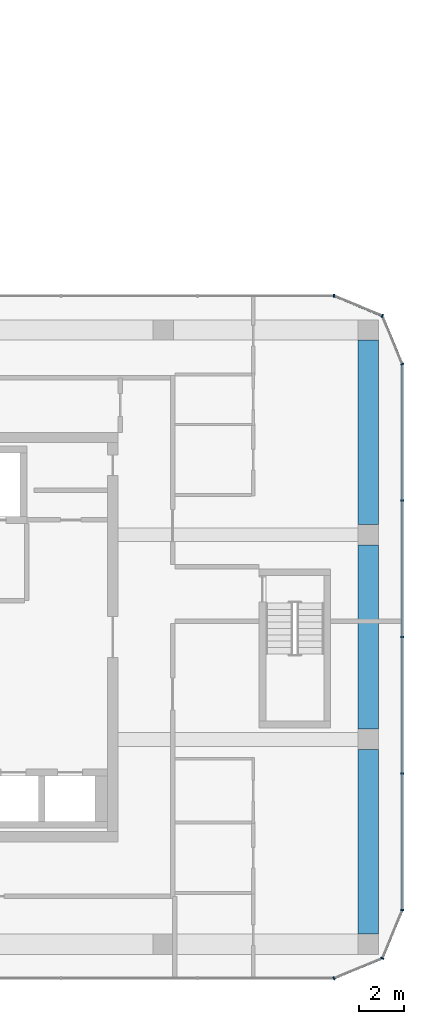
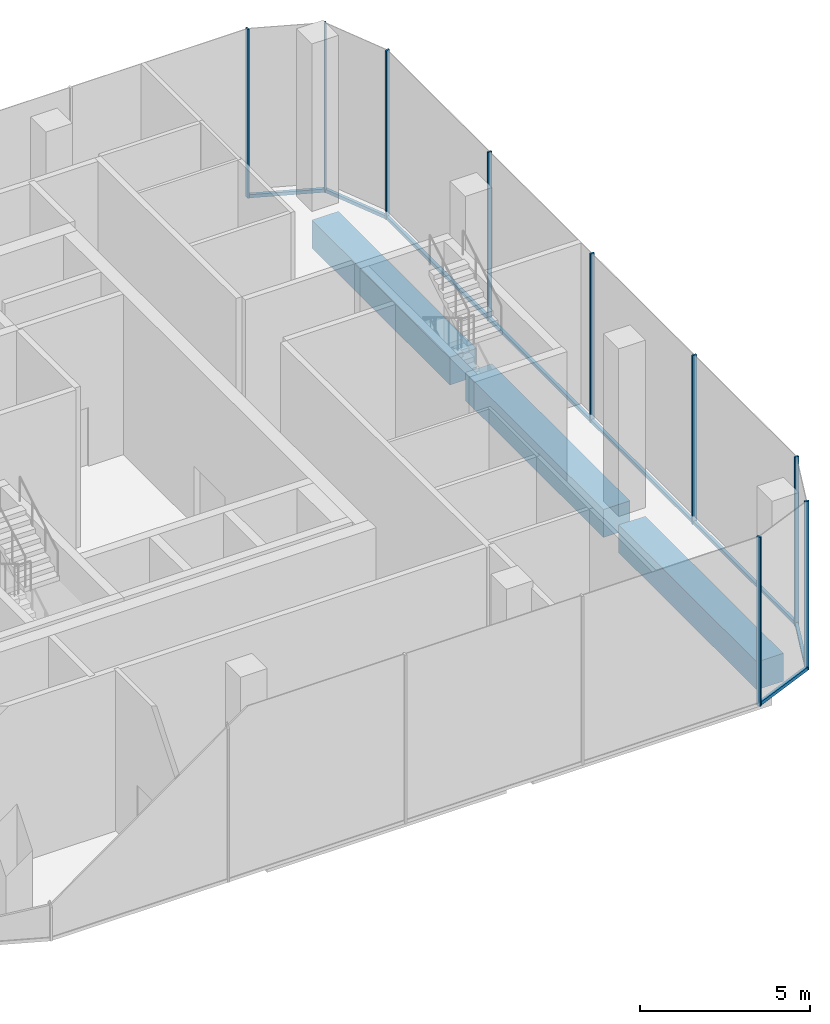
# One storey, part 11 of 24: 14 members, 3 beams, 6 elements without a shape of their own.
"""IFC4 building model written with IfcOpenShell, lengths in metres."""

from ifc_helpers import new_model, si_unit, direction, frame, origin, origin_2d, place, context, subcontext, project, spatial, rectangle, extrude, material, layer, layer_set, material_profile, profile_set, type_object, element, aggregate, save


model = new_model("IFC4")

# Units and contexts
model_context = context("Model", 3, precision=1e-05, world=origin(), true_north=direction((0.0, 1.0)))
body_context = subcontext(model_context, "Body", "Model", "MODEL_VIEW")
ifc_project = project(units=[si_unit("LENGTHUNIT", "METRE"), si_unit("AREAUNIT", "SQUARE_METRE"), si_unit("VOLUMEUNIT", "CUBIC_METRE"), si_unit("PLANEANGLEUNIT", "RADIAN"), si_unit("MASSUNIT", "GRAM", prefix="KILO")], contexts=[model_context])

# Site, building, storey
site_placement = place(None, origin())
site = spatial("IfcSite", under=ifc_project, at=site_placement, CompositionType="ELEMENT")
building_placement = place(site_placement, origin())
building = spatial("IfcBuilding", under=site, at=building_placement, Name="Plateau Cross Towers", CompositionType="ELEMENT")
storey_placement = place(building_placement, frame((0.0, 0.0, 72.300048828125)))
storey = spatial("IfcBuildingStorey", under=building, at=storey_placement, Name="L18", CompositionType="ELEMENT", Elevation=72.300048828125)

# Beams
ifc_material_1 = material(Name="Concrete C60/75", Category="concrete")
ifc_material_profile_1 = material_profile(ifc_material_1, rectangle(XDim=0.89990234375, YDim=1.0, at=origin_2d()), Name="RC 900x1000")
ifc_profile_set_1 = profile_set([ifc_material_profile_1], Name="Concrete C60/75")
beam_type = type_object("IfcBeamType", Name="Belt beam RC 900x1000", PredefinedType="BEAM", material=ifc_profile_set_1)
for number, where, z_axis, x_axis, name in (
    (1, (100.5, -4.050048828125, -0.800048828125), (0.0, 1.0, 0.0), (-1.0, 0.0, 0.0), "B-RB03@L18"),
    (2, (100.5, 4.949951171875, -0.800048828125), (0.0, 1.0, 0.0), (-1.0, 0.0, 0.0), "B-RB04@L18"),
    (3, (100.5, 13.949951171875, -0.800048828125), (0.0, 1.0, 0.0), (-1.0, 0.0, 0.0), "B-RB05@L18"),
):
    element("IfcBeam", number, at=place(storey_placement, frame(where, z_axis=z_axis, x_axis=x_axis)), inside=storey, type_object=beam_type, Name=name, PredefinedType="BEAM", context=body_context, shape_type="SweptSolid", body=[
        extrude(rectangle(XDim=0.89990234375, YDim=1.0, at=origin_2d()), origin(), (0.0, 0.0, 1.0), 8.10009765625),
    ])

# Curtain wall, member
ifc_material_2 = material(Name="Dark low-iron glass", Category="glass")
ifc_layer = layer(ifc_material_2, 0.239990234375)
ifc_layer_set = layer_set([ifc_layer], Name="Dark low-iron glass")
curtain_wall_type = type_object("IfcCurtainWallType", Name="Curtain wall office unitised CW-F", PredefinedType="NOTDEFINED", material=ifc_layer_set)
curtain_wall_1_placement = place(storey_placement, origin())
curtain_wall_1 = element("IfcCurtainWall", 4, at=curtain_wall_1_placement, inside=storey, type_object=curtain_wall_type, Name="ENV/B/L18/B990_-60", PredefinedType="NOTDEFINED")
ifc_material_3 = material(Name="Black anodised aluminium", Category="aluminium")
ifc_material_profile_2 = material_profile(ifc_material_3, rectangle(XDim=0.06005859375, YDim=0.139892578125, at=origin_2d()), Name="MULLION 60x140")
ifc_profile_set_2 = profile_set([ifc_material_profile_2], Name="Black anodised aluminium")
member_type_1 = type_object("IfcMemberType", Name="Mullion 60x140 office unitised", PredefinedType="MULLION", material=ifc_profile_set_2)
member_1_placement = place(storey_placement, frame((99.0, -6.0, -0.300048828125), z_axis=(0.0, 0.0, 1.0), x_axis=(0.923879457699, 0.382683612978, 0.0)))
member_1 = element("IfcMember", 5, at=member_1_placement, type_object=member_type_1, Name="CW-F mullion 1", PredefinedType="MULLION", context=body_context, shape_type="SweptSolid", body=[
    extrude(rectangle(XDim=0.06005859375, YDim=0.139892578125, at=origin_2d()), origin(), (0.0, 0.0, 1.0), 6.050048828125),
])

curtain_wall_2_placement = place(storey_placement, origin())
curtain_wall_2 = element("IfcCurtainWall", 6, at=curtain_wall_2_placement, inside=storey, type_object=curtain_wall_type, Name="ENV/B/L18/B1011_-51", PredefinedType="NOTDEFINED")
member_2_placement = place(storey_placement, frame((101.121337890625, -5.121337890625, -0.300048828125), z_axis=(0.0, 0.0, 1.0), x_axis=(0.382683612978, 0.923879457699, 0.0)))
member_2 = element("IfcMember", 7, at=member_2_placement, type_object=member_type_1, Name="CW-F mullion 1", PredefinedType="MULLION", context=body_context, shape_type="SweptSolid", body=[
    extrude(rectangle(XDim=0.06005859375, YDim=0.139892578125, at=origin_2d()), origin(), (0.0, 0.0, 1.0), 6.050048828125),
])

# Curtain wall, members
curtain_wall_3_placement = place(storey_placement, origin())
curtain_wall_3 = element("IfcCurtainWall", 8, at=curtain_wall_3_placement, inside=storey, type_object=curtain_wall_type, Name="ENV/B/L18/B1020_-30", PredefinedType="NOTDEFINED")
member_3_placement = place(storey_placement, frame((102.0, -3.0, -0.300048828125), z_axis=(0.0, 0.0, 1.0), x_axis=(0.0, 1.0, 0.0)))
member_3 = element("IfcMember", 9, at=member_3_placement, type_object=member_type_1, Name="CW-F mullion 1", PredefinedType="MULLION", context=body_context, shape_type="SweptSolid", body=[
    extrude(rectangle(XDim=0.06005859375, YDim=0.139892578125, at=origin_2d()), origin(), (0.0, 0.0, 1.0), 6.050048828125),
])
member_4_placement = place(storey_placement, frame((102.0, 3.0, -0.300048828125), z_axis=(0.0, 0.0, 1.0), x_axis=(0.0, 1.0, 0.0)))
member_4 = element("IfcMember", 10, at=member_4_placement, type_object=member_type_1, Name="CW-F mullion 2", PredefinedType="MULLION", context=body_context, shape_type="SweptSolid", body=[
    extrude(rectangle(XDim=0.06005859375, YDim=0.139892578125, at=origin_2d()), origin(), (0.0, 0.0, 1.0), 6.050048828125),
])
member_5_placement = place(storey_placement, frame((102.0, 9.0, -0.300048828125), z_axis=(0.0, 0.0, 1.0), x_axis=(0.0, 1.0, 0.0)))
member_5 = element("IfcMember", 11, at=member_5_placement, type_object=member_type_1, Name="CW-F mullion 3", PredefinedType="MULLION", context=body_context, shape_type="SweptSolid", body=[
    extrude(rectangle(XDim=0.06005859375, YDim=0.139892578125, at=origin_2d()), origin(), (0.0, 0.0, 1.0), 6.050048828125),
])
member_6_placement = place(storey_placement, frame((102.0, 15.0, -0.300048828125), z_axis=(0.0, 0.0, 1.0), x_axis=(0.0, 1.0, 0.0)))
member_6 = element("IfcMember", 12, at=member_6_placement, type_object=member_type_1, Name="CW-F mullion 4", PredefinedType="MULLION", context=body_context, shape_type="SweptSolid", body=[
    extrude(rectangle(XDim=0.06005859375, YDim=0.139892578125, at=origin_2d()), origin(), (0.0, 0.0, 1.0), 6.050048828125),
])

# Curtain wall, member
curtain_wall_4_placement = place(storey_placement, origin())
curtain_wall_4 = element("IfcCurtainWall", 13, at=curtain_wall_4_placement, inside=storey, type_object=curtain_wall_type, Name="ENV/B/L18/B1020_210", PredefinedType="NOTDEFINED")
member_7_placement = place(storey_placement, frame((102.0, 21.0, -0.300048828125), z_axis=(0.0, 0.0, 1.0), x_axis=(-0.382683612978, 0.923879457699, 0.0)))
member_7 = element("IfcMember", 14, at=member_7_placement, type_object=member_type_1, Name="CW-F mullion 1", PredefinedType="MULLION", context=body_context, shape_type="SweptSolid", body=[
    extrude(rectangle(XDim=0.06005859375, YDim=0.139892578125, at=origin_2d()), origin(), (0.0, 0.0, 1.0), 6.050048828125),
])

curtain_wall_5_placement = place(storey_placement, origin())
curtain_wall_5 = element("IfcCurtainWall", 15, at=curtain_wall_5_placement, inside=storey, type_object=curtain_wall_type, Name="ENV/B/L18/B1011_231", PredefinedType="NOTDEFINED")
member_8_placement = place(storey_placement, frame((101.121337890625, 23.121337890625, -0.300048828125), z_axis=(0.0, 0.0, 1.0), x_axis=(-0.923879457699, 0.382683612978, 0.0)))
member_8 = element("IfcMember", 16, at=member_8_placement, type_object=member_type_1, Name="CW-F mullion 1", PredefinedType="MULLION", context=body_context, shape_type="SweptSolid", body=[
    extrude(rectangle(XDim=0.06005859375, YDim=0.139892578125, at=origin_2d()), origin(), (0.0, 0.0, 1.0), 6.050048828125),
])

curtain_wall_6_placement = place(storey_placement, origin())
curtain_wall_6 = element("IfcCurtainWall", 17, at=curtain_wall_6_placement, inside=storey, type_object=curtain_wall_type, Name="ENV/B/L18/B990_240", PredefinedType="NOTDEFINED")
member_9_placement = place(storey_placement, frame((99.0, 24.0, -0.300048828125), z_axis=(0.0, 0.0, 1.0), x_axis=(-1.0, 0.0, 0.0)))
member_9 = element("IfcMember", 18, at=member_9_placement, type_object=member_type_1, Name="CW-F mullion 1", PredefinedType="MULLION", context=body_context, shape_type="SweptSolid", body=[
    extrude(rectangle(XDim=0.06005859375, YDim=0.139892578125, at=origin_2d()), origin(), (0.0, 0.0, 1.0), 6.050048828125),
])
aggregate(curtain_wall_6, [member_9])

# Member
ifc_material_profile_3 = material_profile(ifc_material_3, rectangle(XDim=0.10009765625, YDim=0.1201171875, at=origin_2d()), Name="TRANSOM 100x120")
ifc_profile_set_3 = profile_set([ifc_material_profile_3], Name="Black anodised aluminium")
member_type_2 = type_object("IfcMemberType", Name="Transom 100x120 office unitised", PredefinedType="USERDEFINED", material=ifc_profile_set_3)
member_10_placement = place(storey_placement, frame((99.0, -6.0, -0.239990234375), z_axis=(0.923883353507, 0.382674207535, 0.0), x_axis=(-0.382674207535, 0.923883353507, 0.0)))
member_10 = element("IfcMember", 19, at=member_10_placement, type_object=member_type_2, Name="CW-F transom", ObjectType="TRANSOM", PredefinedType="USERDEFINED", context=body_context, shape_type="SweptSolid", body=[
    extrude(rectangle(XDim=0.10009765625, YDim=0.1201171875, at=origin_2d()), origin(), (0.0, 0.0, 1.0), 2.296142578125),
])

aggregate(curtain_wall_1, [member_1, member_10])

member_11_placement = place(storey_placement, frame((101.121337890625, -5.121337890625, -0.239990234375), z_axis=(0.382674207535, 0.923883353507, 0.0), x_axis=(-0.923883353507, 0.382674207535, 0.0)))
member_11 = element("IfcMember", 20, at=member_11_placement, type_object=member_type_2, Name="CW-F transom", ObjectType="TRANSOM", PredefinedType="USERDEFINED", context=body_context, shape_type="SweptSolid", body=[
    extrude(rectangle(XDim=0.10009765625, YDim=0.1201171875, at=origin_2d()), origin(), (0.0, 0.0, 1.0), 2.296142578125),
])

aggregate(curtain_wall_2, [member_2, member_11])

member_12_placement = place(storey_placement, frame((102.0, -3.0, -0.239990234375), z_axis=(0.0, 1.0, 0.0), x_axis=(-1.0, 0.0, 0.0)))
member_12 = element("IfcMember", 21, at=member_12_placement, type_object=member_type_2, Name="CW-F transom", ObjectType="TRANSOM", PredefinedType="USERDEFINED", context=body_context, shape_type="SweptSolid", body=[
    extrude(rectangle(XDim=0.10009765625, YDim=0.1201171875, at=origin_2d()), origin(), (0.0, 0.0, 1.0), 24.0),
])

aggregate(curtain_wall_3, [member_3, member_4, member_5, member_6, member_12])

member_13_placement = place(storey_placement, frame((102.0, 21.0, -0.239990234375), z_axis=(-0.382674207535, 0.923883353507, 0.0), x_axis=(-0.923883353507, -0.382674207535, 0.0)))
member_13 = element("IfcMember", 22, at=member_13_placement, type_object=member_type_2, Name="CW-F transom", ObjectType="TRANSOM", PredefinedType="USERDEFINED", context=body_context, shape_type="SweptSolid", body=[
    extrude(rectangle(XDim=0.10009765625, YDim=0.1201171875, at=origin_2d()), origin(), (0.0, 0.0, 1.0), 2.296142578125),
])

aggregate(curtain_wall_4, [member_7, member_13])

member_14_placement = place(storey_placement, frame((101.121337890625, 23.121337890625, -0.239990234375), z_axis=(-0.923883353507, 0.382674207535, 0.0), x_axis=(-0.382674207535, -0.923883353507, 0.0)))
member_14 = element("IfcMember", 23, at=member_14_placement, type_object=member_type_2, Name="CW-F transom", ObjectType="TRANSOM", PredefinedType="USERDEFINED", context=body_context, shape_type="SweptSolid", body=[
    extrude(rectangle(XDim=0.10009765625, YDim=0.1201171875, at=origin_2d()), origin(), (0.0, 0.0, 1.0), 2.296142578125),
])

aggregate(curtain_wall_5, [member_8, member_14])

save(model, "model.ifc")
